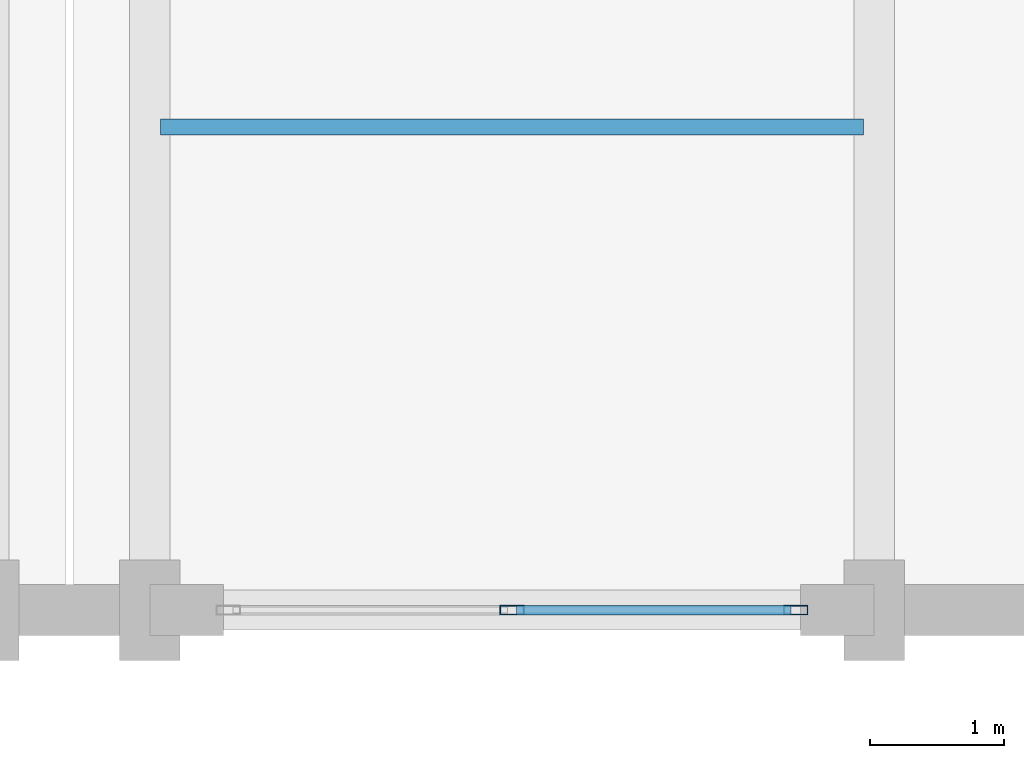
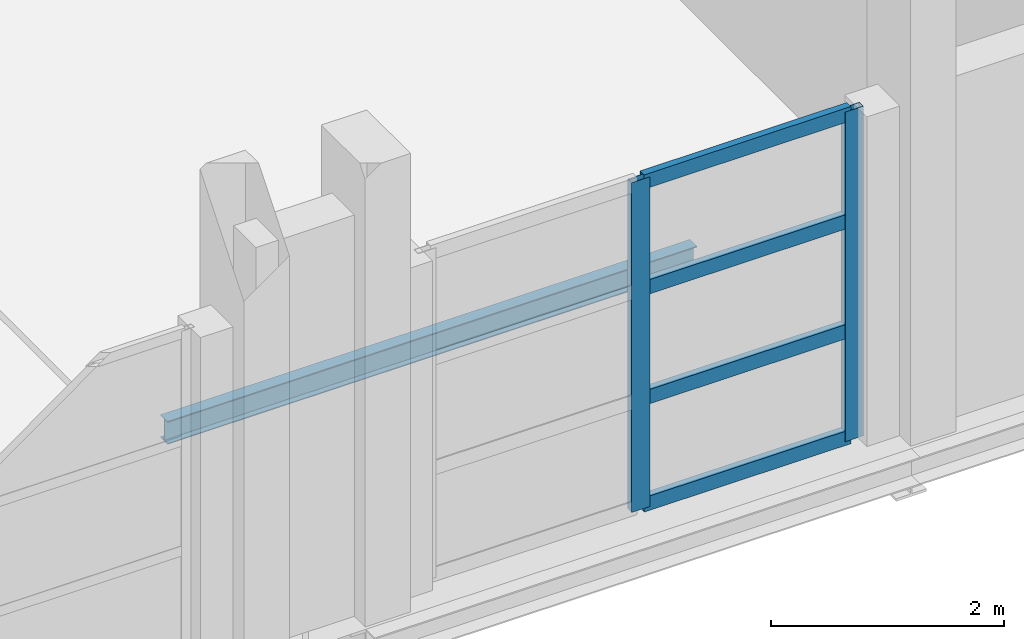
# One storey, part 33 of 86: 6 members, 1 beam, 1 element without a shape of its own.
"""IFC4 building model written with IfcOpenShell, lengths in metres."""

from ifc_helpers import new_model, si_unit, direction, frame, origin, origin_2d, place, context, subcontext, project, spatial, hollow_rectangle, i_section, extrude, material, layer, layer_set, material_profile, profile_set, type_object, element, aggregate, save


model = new_model("IFC4")

# Units and contexts
model_context = context("Model", 3, precision=1e-05, world=origin(), true_north=direction((0.0, 1.0)))
body_context = subcontext(model_context, "Body", "Model", "MODEL_VIEW")
ifc_project = project(units=[si_unit("LENGTHUNIT", "METRE"), si_unit("AREAUNIT", "SQUARE_METRE"), si_unit("VOLUMEUNIT", "CUBIC_METRE"), si_unit("PLANEANGLEUNIT", "RADIAN"), si_unit("MASSUNIT", "GRAM", prefix="KILO")], contexts=[model_context])

# Site, building, storey
site_placement = place(None, origin())
site = spatial("IfcSite", under=ifc_project, at=site_placement, CompositionType="ELEMENT")
building_placement = place(site_placement, origin())
building = spatial("IfcBuilding", under=site, at=building_placement, Name="Zilviju Railside Exhibition Hall", CompositionType="ELEMENT")
storey_placement = place(building_placement, frame((0.0, 0.0, 12.60009765625)))
storey = spatial("IfcBuildingStorey", under=building, at=storey_placement, Name="L04", CompositionType="ELEMENT", Elevation=12.60009765625)

# Beam
ifc_material_1 = material(Name="Steel S355J2", Category="steel")
ifc_material_profile_1 = material_profile(ifc_material_1, i_section(OverallWidth=0.1201171875, OverallDepth=0.239990234375, WebThickness=0.006103515625, FlangeThickness=0.009765625, at=origin_2d()), Name="IPE 240")
ifc_profile_set_1 = profile_set([ifc_material_profile_1], Name="Steel S355J2")
beam_type = type_object("IfcBeamType", Name="BM-IPE240", PredefinedType="JOIST", material=ifc_profile_set_1)
beam_placement = place(storey_placement, frame((174.679931640625, 87.60009765625, -0.4501953125), z_axis=(1.0, 0.0, 0.0), x_axis=(0.0, 1.0, 0.0)))
element("IfcBeam", 1, at=beam_placement, inside=storey, type_object=beam_type, Name="Composite Floor Joist L04 Y=87.60 (174.6..180.0)", PredefinedType="JOIST", context=body_context, shape_type="SweptSolid", body=[
    extrude(i_section(OverallWidth=0.1201171875, OverallDepth=0.239990234375, WebThickness=0.006103515625, FlangeThickness=0.009765625, at=origin_2d()), origin(), (0.0, 0.0, 1.0), 5.239990234375),
])

# Curtain wall, members
ifc_material_2 = material(Name="Thermally broken aluminium-steel triple-glazed curtain wall", Category="steel")
ifc_layer = layer(ifc_material_2, 0.179931640625)
ifc_layer_set = layer_set([ifc_layer], Name="Thermally broken aluminium-steel triple-glazed curtain wall")
curtain_wall_type = type_object("IfcCurtainWallType", Name="CW-BAY-17", PredefinedType="USERDEFINED", material=ifc_layer_set)
curtain_wall_placement = place(storey_placement, origin())
curtain_wall = element("IfcCurtainWall", 2, at=curtain_wall_placement, inside=storey, type_object=curtain_wall_type, Name="North Hall Garden Court Curtain Wall L04 (175..180)", ObjectType="GLAZED CURTAIN WALL", PredefinedType="USERDEFINED")
ifc_material_3 = material(Name="Thermally broken anodized aluminium mullion", Category="aluminium")
ifc_material_profile_2 = material_profile(ifc_material_3, hollow_rectangle(XDim=0.070068359375, YDim=0.179931640625, WallThickness=0.0048828125, at=origin_2d()), Name="MULLION 180x70x5")
ifc_profile_set_2 = profile_set([ifc_material_profile_2], Name="Thermally broken anodized aluminium mullion")
member_type_1 = type_object("IfcMemberType", Name="CWM-70x180", PredefinedType="MULLION", material=ifc_profile_set_2)
member_1_placement = place(storey_placement, frame((179.4150390625, 84.0, 0.0), z_axis=(0.0, 0.0, 1.0), x_axis=(0.0, -1.0, 0.0)))
member_1 = element("IfcMember", 3, at=member_1_placement, type_object=member_type_1, Name="CW-17 mullion 1", PredefinedType="MULLION", context=body_context, shape_type="SweptSolid", body=[
    extrude(hollow_rectangle(XDim=0.070068359375, YDim=0.179931640625, WallThickness=0.0048828125, at=origin_2d()), origin(), (0.0, 0.0, 1.0), 3.449951171875),
])
member_2_placement = place(storey_placement, frame((177.300048828125, 84.0, 0.0), z_axis=(0.0, 0.0, 1.0), x_axis=(0.0, -1.0, 0.0)))
member_2 = element("IfcMember", 4, at=member_2_placement, type_object=member_type_1, Name="CW-17 mullion 2", PredefinedType="MULLION", context=body_context, shape_type="SweptSolid", body=[
    extrude(hollow_rectangle(XDim=0.070068359375, YDim=0.179931640625, WallThickness=0.0048828125, at=origin_2d()), origin(), (0.0, 0.0, 1.0), 3.449951171875),
])
ifc_material_4 = material(Name="Thermally broken anodized aluminium transom", Category="aluminium")
ifc_material_profile_3 = material_profile(ifc_material_4, hollow_rectangle(XDim=0.070068359375, YDim=0.14990234375, WallThickness=0.0048828125, at=origin_2d()), Name="TRANSOM 150x70x5")
ifc_profile_set_3 = profile_set([ifc_material_profile_3], Name="Thermally broken anodized aluminium transom")
member_type_2 = type_object("IfcMemberType", Name="CWT-70x150", PredefinedType="USERDEFINED", material=ifc_profile_set_3)
member_3_placement = place(storey_placement, frame((179.3798828125, 84.0, 0.034912109375), z_axis=(-1.0, 0.0, 0.0), x_axis=(0.0, -1.0, 0.0)))
member_3 = element("IfcMember", 5, at=member_3_placement, type_object=member_type_2, Name="CW-17 transom 1.1", ObjectType="TRANSOM", PredefinedType="USERDEFINED", context=body_context, shape_type="SweptSolid", body=[
    extrude(hollow_rectangle(XDim=0.070068359375, YDim=0.14990234375, WallThickness=0.0048828125, at=origin_2d()), origin(), (0.0, 0.0, 1.0), 2.044921875),
])
member_4_placement = place(storey_placement, frame((179.3798828125, 84.0, 1.14990234375), z_axis=(-1.0, 0.0, 0.0), x_axis=(0.0, -1.0, 0.0)))
member_4 = element("IfcMember", 6, at=member_4_placement, type_object=member_type_2, Name="CW-17 transom 1.2", ObjectType="TRANSOM", PredefinedType="USERDEFINED", context=body_context, shape_type="SweptSolid", body=[
    extrude(hollow_rectangle(XDim=0.070068359375, YDim=0.14990234375, WallThickness=0.0048828125, at=origin_2d()), origin(), (0.0, 0.0, 1.0), 2.044921875),
])
member_5_placement = place(storey_placement, frame((179.3798828125, 84.0, 2.2998046875), z_axis=(-1.0, 0.0, 0.0), x_axis=(0.0, -1.0, 0.0)))
member_5 = element("IfcMember", 7, at=member_5_placement, type_object=member_type_2, Name="CW-17 transom 1.3", ObjectType="TRANSOM", PredefinedType="USERDEFINED", context=body_context, shape_type="SweptSolid", body=[
    extrude(hollow_rectangle(XDim=0.070068359375, YDim=0.14990234375, WallThickness=0.0048828125, at=origin_2d()), origin(), (0.0, 0.0, 1.0), 2.044921875),
])
member_6_placement = place(storey_placement, frame((179.3798828125, 84.0, 3.414794921875), z_axis=(-1.0, 0.0, 0.0), x_axis=(0.0, -1.0, 0.0)))
member_6 = element("IfcMember", 8, at=member_6_placement, type_object=member_type_2, Name="CW-17 transom 1.4", ObjectType="TRANSOM", PredefinedType="USERDEFINED", context=body_context, shape_type="SweptSolid", body=[
    extrude(hollow_rectangle(XDim=0.070068359375, YDim=0.14990234375, WallThickness=0.0048828125, at=origin_2d()), origin(), (0.0, 0.0, 1.0), 2.044921875),
])
aggregate(curtain_wall, [member_1, member_2, member_3, member_4, member_5, member_6])

save(model, "model.ifc")
